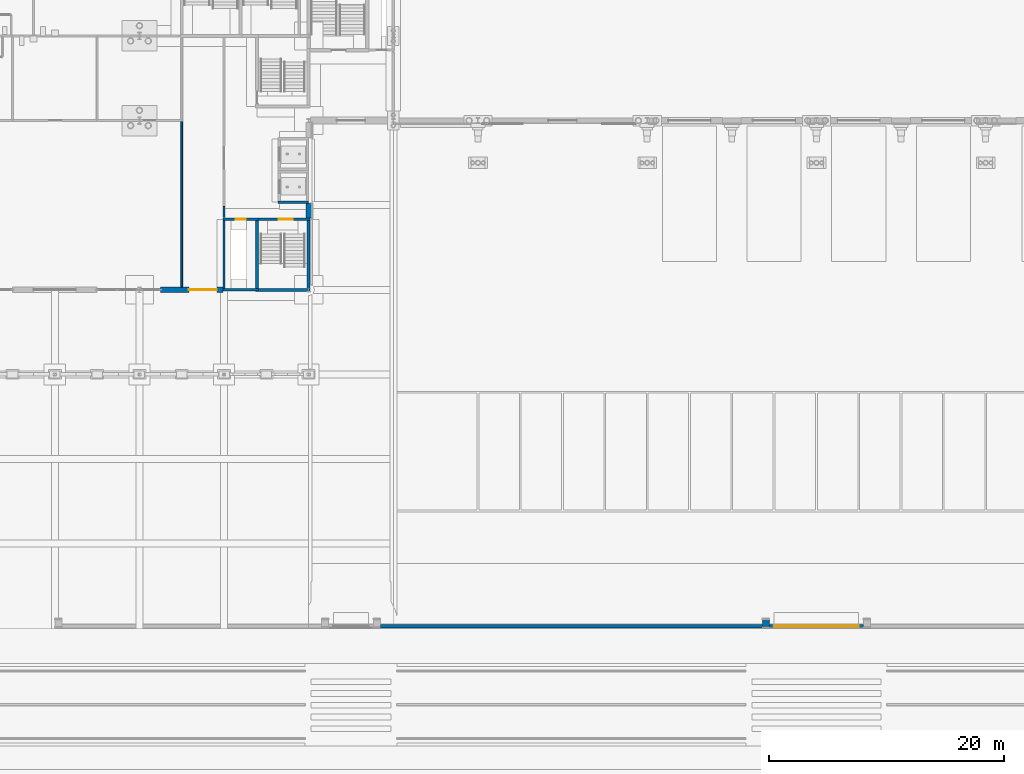
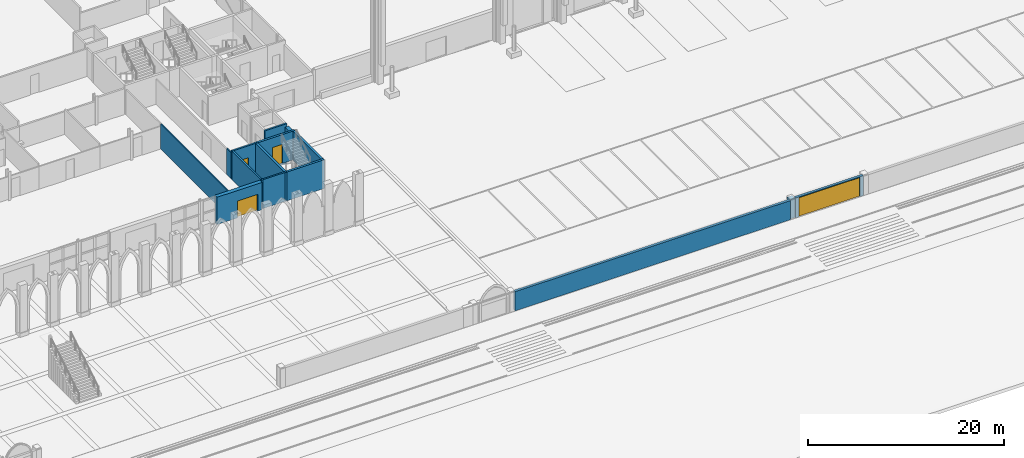
# One storey, part 79 of 148: 15 walls, 4 doors, 4 openings.
"""IFC4 building model written with IfcOpenShell, lengths in metres."""

import ifcopenshell
import ifcopenshell.guid

model = None  # the IFC model being written
_history = None  # IfcOwnerHistory: only IFC2X3 demands one
_inside = {}  # id of a spatial element -> (the spatial element, [elements in it])
_under = {}  # id of a project, library or spatial element -> (it, [spatial elements below it])
_declared = {}  # id of a project -> (the project, [libraries it declares])
_typed = {}  # id of a type object -> (the type object, [elements of that type])
_made_of = {}  # id of a material, layer set ... -> (it, [elements and type objects made of it])


def new_model(schema):
    """Start an empty IFC model of exactly this schema.

    Asked for "IFC4X3", IfcOpenShell would pick the latest addendum, in which some entities
    have other attributes; the version numbers below select the first issue.
    IFC2X3 requires an IfcOwnerHistory on every rooted entity: one is made here for all.
    """
    global model, _history
    if schema == "IFC4X3":
        model = ifcopenshell.file(schema_version=(4, 3, 0, 0))
    else:
        model = ifcopenshell.file(schema=schema)
    _inside.clear()
    _under.clear()
    _declared.clear()
    _typed.clear()
    _made_of.clear()
    _history = None
    if model.schema == "IFC2X3":
        org = make("IfcOrganization", Name="unknown")
        user = make(
            "IfcPersonAndOrganization",
            ThePerson=make("IfcPerson", FamilyName="unknown"),
            TheOrganization=org,
        )
        app = make(
            "IfcApplication",
            ApplicationDeveloper=org,
            Version="unknown",
            ApplicationFullName="unknown",
            ApplicationIdentifier="unknown",
        )
        _history = make(
            "IfcOwnerHistory",
            OwningUser=user,
            OwningApplication=app,
            ChangeAction="ADDED",
            CreationDate=0,
        )
    return model


def make(cls, **values):
    """One entity of the class cls with the attributes given. An attribute that is None is left unset."""
    return model.create_entity(
        cls, **{name: value for name, value in values.items() if value is not None}
    )


def rooted(cls, **values):
    """An entity with a GlobalId (a new one), such as an element, a storey or a relation."""
    return make(cls, GlobalId=ifcopenshell.guid.new(), OwnerHistory=_history, **values)


def si_unit(unit_type, name, prefix=None):
    """IfcSIUnit, for example si_unit("LENGTHUNIT", "METRE", prefix="MILLI")."""
    return make("IfcSIUnit", UnitType=unit_type, Prefix=prefix, Name=name)


def assignment(units):
    """IfcUnitAssignment: the units of a project."""
    return None if units is None else make("IfcUnitAssignment", Units=units)


def point(xyz):
    """IfcCartesianPoint."""
    return None if xyz is None else make("IfcCartesianPoint", Coordinates=xyz)


def direction(xyz):
    """IfcDirection."""
    return None if xyz is None else make("IfcDirection", DirectionRatios=xyz)


def frame(location, z_axis=None, x_axis=None):
    """IfcAxis2Placement3D, a coordinate frame: its origin and axes. An axis left out is left unset."""
    return make(
        "IfcAxis2Placement3D",
        Location=point(location),
        Axis=direction(z_axis),
        RefDirection=direction(x_axis),
    )


def frame_2d(location, x_axis=None):
    """IfcAxis2Placement2D, a coordinate frame in the plane: its origin and x axis."""
    return make(
        "IfcAxis2Placement2D", Location=point(location), RefDirection=direction(x_axis)
    )


def origin():
    """The frame at (0, 0, 0) with its axes left unset."""
    return frame((0.0, 0.0, 0.0))


def place(relative_to, where):
    """IfcLocalPlacement: puts the frame where relative to a parent placement (None: the world)."""
    return make(
        "IfcLocalPlacement", PlacementRelTo=relative_to, RelativePlacement=where
    )


def context(
    kind, dimensions, precision=None, world=None, true_north=None, identifier=None
):
    """IfcGeometricRepresentationContext, for example the 3D "Model" context."""
    return make(
        "IfcGeometricRepresentationContext",
        ContextIdentifier=identifier,
        ContextType=kind,
        CoordinateSpaceDimension=dimensions,
        Precision=precision,
        WorldCoordinateSystem=world,
        TrueNorth=true_north,
    )


def subcontext(parent, identifier, kind, view, scale=None):
    """IfcGeometricRepresentationSubContext, for example "Body" below "Model"."""
    return make(
        "IfcGeometricRepresentationSubContext",
        ContextIdentifier=identifier,
        ContextType=kind,
        ParentContext=parent,
        TargetScale=scale,
        TargetView=view,
    )


def project(units=None, contexts=None):
    """IfcProject with its units and contexts."""
    return rooted(
        "IfcProject",
        Name="project",
        RepresentationContexts=contexts,
        UnitsInContext=assignment(units),
    )


def spatial(cls, under=None, at=None, **own):
    """A site, building, storey or space (cls), placed at a placement, below another one or the project."""
    s = rooted(cls, ObjectPlacement=at, **own)
    if under is not None:
        _under.setdefault(under.id(), (under, []))[1].append(s)
    return s


def profile(cls, at=None, kind="AREA", **sizes):
    """A parametric profile (cls). Its sizes go by their IFC names, for example OverallWidth=200.0."""
    return make(cls, ProfileType=kind, Position=at, **sizes)


def rectangle(**sizes):
    """IfcRectangleProfileDef."""
    return profile("IfcRectangleProfileDef", **sizes)


def extrude(swept, where, along, depth):
    """IfcExtrudedAreaSolid: the profile swept, set in the frame where, extruded along a direction by depth."""
    return make(
        "IfcExtrudedAreaSolid",
        SweptArea=swept,
        Position=where,
        ExtrudedDirection=direction(along),
        Depth=depth,
    )


def shape(context_of_items, identifier, shape_type, items):
    """IfcShapeRepresentation: the items that make up one representation, for example the "Body"."""
    return make(
        "IfcShapeRepresentation",
        ContextOfItems=context_of_items,
        RepresentationIdentifier=identifier,
        RepresentationType=shape_type,
        Items=items,
    )


def material(Name=None, Category=None):
    """IfcMaterial."""
    return make("IfcMaterial", Name=Name, Category=Category)


def layer(
    of_material, thickness, ventilated=None, Name=None, Category=None, Priority=None
):
    """IfcMaterialLayer: one layer of a wall or slab, of a material (None: an air gap)."""
    return make(
        "IfcMaterialLayer",
        Material=of_material,
        LayerThickness=thickness,
        IsVentilated=ventilated,
        Name=Name,
        Category=Category,
        Priority=Priority,
    )


def layer_set(layers, Name=None):
    """IfcMaterialLayerSet."""
    return make("IfcMaterialLayerSet", MaterialLayers=layers, LayerSetName=Name)


def made_of(thing, what):
    """Note that an element or type object is made of a material, layer set ...; save() writes the relation."""
    if what is not None:
        _made_of.setdefault(what.id(), (what, []))[1].append(thing)
    return thing


def type_object(cls, material=None, **own):
    """A type object (cls), such as IfcWallType, which elements share."""
    return made_of(rooted(cls, **own), material)


def element(
    cls,
    number,
    at=None,
    inside=None,
    cuts=None,
    type_object=None,
    material=None,
    context=None,
    identifier="Body",
    shape_type=None,
    held_by="IfcProductDefinitionShape",
    body=None,
    shapes=None,
    **own,
):
    """One element of the class cls, such as IfcWall. Its Tag is "e" and its number.

    at: its placement. inside: the storey or other place that contains it. cuts: it is an
    opening in that element (IfcRelVoidsElement). A single representation is given by context,
    identifier, shape_type and body (its items); several are given by shapes. held_by: the class
    of the entity that holds the representations. save() writes the other relations.
    """
    e = rooted(cls, Tag="e%d" % number, ObjectPlacement=at, **own)
    if body is not None:
        shapes = [shape(context, identifier, shape_type, body)]
    if shapes is not None:
        e.Representation = make(held_by, Representations=shapes)
    if inside is not None:
        _inside.setdefault(inside.id(), (inside, []))[1].append(e)
    if cuts is not None:
        rooted(
            "IfcRelVoidsElement", RelatingBuildingElement=cuts, RelatedOpeningElement=e
        )
    if type_object is not None:
        _typed.setdefault(type_object.id(), (type_object, []))[1].append(e)
    return made_of(e, material)


def fill(opening, filler):
    """IfcRelFillsElement: the door or window that sits in an opening."""
    return rooted(
        "IfcRelFillsElement",
        RelatingOpeningElement=opening,
        RelatedBuildingElement=filler,
    )


def aggregate(whole, parts):
    """IfcRelAggregates: a whole, such as a stair, and the parts it consists of."""
    return rooted("IfcRelAggregates", RelatingObject=whole, RelatedObjects=parts)


def save(model, path):
    """Write the relations noted so far, then the file.

    IfcRelAggregates (storeys below a building ...), IfcRelContainedInSpatialStructure (elements
    in a storey), IfcRelDefinesByType, IfcRelAssociatesMaterial and IfcRelDeclares: one each for
    every whole, place, type object, material and project.
    """
    for whole, parts in _under.values():
        aggregate(whole, parts)
    for where, things in _inside.values():
        rooted(
            "IfcRelContainedInSpatialStructure",
            RelatedElements=things,
            RelatingStructure=where,
        )
    for kind, things in _typed.values():
        rooted("IfcRelDefinesByType", RelatedObjects=things, RelatingType=kind)
    for what, things in _made_of.values():
        rooted("IfcRelAssociatesMaterial", RelatedObjects=things, RelatingMaterial=what)
    for by, libraries in _declared.values():
        rooted("IfcRelDeclares", RelatingContext=by, RelatedDefinitions=libraries)
    model.write(path)


model = new_model("IFC4")

# Units and contexts
model_context = context("Model", 3, precision=1e-05, world=origin(), true_north=direction((0.0, 1.0)))
body_context = subcontext(model_context, "Body", "Model", "MODEL_VIEW")
ifc_project = project(units=[si_unit("LENGTHUNIT", "METRE"), si_unit("AREAUNIT", "SQUARE_METRE"), si_unit("VOLUMEUNIT", "CUBIC_METRE"), si_unit("PLANEANGLEUNIT", "RADIAN"), si_unit("MASSUNIT", "GRAM", prefix="KILO")], contexts=[model_context])

# Site, building, storey
site_placement = place(None, origin())
site = spatial("IfcSite", under=ifc_project, at=site_placement, CompositionType="ELEMENT")
building_placement = place(site_placement, origin())
building = spatial("IfcBuilding", under=site, at=building_placement, Name="Kupolbacken Congress Centre", CompositionType="ELEMENT")
storey_placement = place(building_placement, origin())
storey = spatial("IfcBuildingStorey", under=building, at=storey_placement, Name="L00", CompositionType="ELEMENT", Elevation=0.0)

# Wall
ifc_material_1 = material(Name="Brick", Category="masonry")
ifc_layer_1 = layer(ifc_material_1, 0.10791015625)
ifc_material_2 = material(Name="Concrete block", Category="masonry")
ifc_layer_2 = layer(ifc_material_2, 0.19189453125)
ifc_layer_set_1 = layer_set([ifc_layer_1, ifc_layer_2], Name="Brick / Concrete block")
wall_type_1 = type_object("IfcWallType", Name="BW1 boundary wall 300", PredefinedType="SOLIDWALL", material=ifc_layer_set_1)
wall_1_placement = place(storey_placement, frame((85.300048828125, 0.175048828125, 0.0), z_axis=(0.0, 0.0, 1.0), x_axis=(1.0, 0.0, 0.0)))
element("IfcWall", 1, at=wall_1_placement, inside=storey, type_object=wall_type_1, Name="Boundary wall lower-yard 04", PredefinedType="SOLIDWALL", context=body_context, shape_type="SweptSolid", body=[
    extrude(rectangle(XDim=32.5, YDim=0.300048828125, at=frame_2d((16.25, 0.0))), origin(), (0.0, 0.0, 1.0), 2.39990234375),
])

# Wall, opening, door
wall_2_placement = place(storey_placement, frame((118.39990234375, 0.175048828125, 0.0), z_axis=(0.0, 0.0, 1.0), x_axis=(1.0, 0.0, 0.0)))
wall_2 = element("IfcWall", 2, at=wall_2_placement, inside=storey, type_object=wall_type_1, Name="Boundary wall at gate YG1", PredefinedType="SOLIDWALL", context=body_context, shape_type="SweptSolid", body=[
    extrude(rectangle(XDim=8.0, YDim=0.300048828125, at=frame_2d((4.0, 0.0))), origin(), (0.0, 0.0, 1.0), 2.5),
])
opening_1_placement = place(wall_2_placement, frame((0.39990234375, 0.0, 0.0)))
opening_1 = element("IfcOpeningElement", 3, at=opening_1_placement, cuts=wall_2, Name="Opening D41", PredefinedType="OPENING", context=body_context, shape_type="SweptSolid", body=[
    extrude(rectangle(XDim=7.199951171875, YDim=2.39990234375, at=frame_2d((3.60009765625, 1.199951171875))), frame((0.0, 0.159912109375, 0.0), z_axis=(0.0, -1.0, 0.0), x_axis=(1.0, 0.0, 0.0)), (0.0, 0.0, 1.0), 0.320068359375),
])
ifc_material_3 = material(Name="Galvanised steel gate", Category="steel")
door_type_1 = type_object("IfcDoorType", Name="D41 vehicle gate 7200x2400", OperationType="DOUBLE_DOOR_SINGLE_SWING", PredefinedType="GATE", material=ifc_material_3)
door_1_placement = place(opening_1_placement, frame((7.199951171875, 0.0, 0.0), z_axis=(0.0, 0.0, 1.0), x_axis=(-1.0, 0.0, 0.0)))
door_1 = element("IfcDoor", 4, at=door_1_placement, inside=storey, type_object=door_type_1, Name="Boundary vehicle gate YG1", OperationType="DOUBLE_DOOR_SINGLE_SWING", OverallHeight=2.39990234375, OverallWidth=7.199951171875, PredefinedType="GATE", context=body_context, shape_type="SweptSolid", body=[
    extrude(rectangle(XDim=7.199951171875, YDim=2.39990234375, at=frame_2d((3.60009765625, 1.199951171875))), frame((0.0, 0.02490234375, 0.0), z_axis=(0.0, -1.0, 0.0), x_axis=(1.0, 0.0, 0.0)), (0.0, 0.0, 1.0), 0.050048828125),
])
fill(opening_1, door_1)

# Wall
ifc_material_4 = material(Name="Concrete C40/50", Category="concrete")
ifc_layer_3 = layer(ifc_material_4, 0.1201171875)
ifc_material_5 = material(Name="Mineral wool", Category="insulation")
ifc_layer_4 = layer(ifc_material_5, 0.19189453125)
ifc_material_6 = material(Name="Air cavity", Category="air")
ifc_layer_5 = layer(ifc_material_6, 0.0400390625, ventilated=True)
ifc_layer_6 = layer(ifc_material_1, 0.10791015625)
ifc_layer_set_2 = layer_set([ifc_layer_3, ifc_layer_4, ifc_layer_5, ifc_layer_6], Name="Concrete C40/50 / Mineral wool / Brick")
wall_type_2 = type_object("IfcWallType", Name="EW06 external cavity wall 460", PredefinedType="SOLIDWALL", material=ifc_layer_set_2)
wall_3_placement = place(storey_placement, frame((79.199951171875, 34.925048828125, 0.0), z_axis=(0.0, 0.0, 1.0), x_axis=(0.0, 1.0, 0.0)))
element("IfcWall", 5, at=wall_3_placement, inside=storey, type_object=wall_type_2, Name="E/F/E/L00/025", PredefinedType="SOLIDWALL", context=body_context, shape_type="SweptSolid", body=[
    extrude(rectangle(XDim=1.224853515625, YDim=0.4599609375, at=frame_2d((0.6123046875, 0.0))), origin(), (0.0, 0.0, 1.0), 3.219970703125),
])

# Wall, opening, door
wall_4_placement = place(storey_placement, frame((66.60009765625, 28.800048828125, 0.0), z_axis=(0.0, 0.0, 1.0), x_axis=(1.0, 0.0, 0.0)))
wall_4 = element("IfcWall", 6, at=wall_4_placement, inside=storey, type_object=wall_type_2, Name="E/F/S/L00/041", PredefinedType="SOLIDWALL", context=body_context, shape_type="SweptSolid", body=[
    extrude(rectangle(XDim=5.2998046875, YDim=0.4599609375, at=frame_2d((2.64990234375, 0.0))), origin(), (0.0, 0.0, 1.0), 3.419921875),
])
opening_2_placement = place(wall_4_placement, frame((2.39990234375, 0.0, 0.0)))
opening_2 = element("IfcOpeningElement", 7, at=opening_2_placement, cuts=wall_4, Name="Opening D45", PredefinedType="OPENING", context=body_context, shape_type="SweptSolid", body=[
    extrude(rectangle(XDim=2.39990234375, YDim=2.10009765625, at=frame_2d((1.199951171875, 1.050048828125))), frame((0.0, 0.239990234375, 0.0), z_axis=(0.0, -1.0, 0.0), x_axis=(1.0, 0.0, 0.0)), (0.0, 0.0, 1.0), 0.47998046875),
])
ifc_material_7 = material(Name="Steel fire door leaf", Category="steel")
door_type_2 = type_object("IfcDoorType", Name="D45 stair door 2400x2100", OperationType="DOUBLE_DOOR_SINGLE_SWING", PredefinedType="DOOR", material=ifc_material_7)
door_2_placement = place(opening_2_placement, frame((2.39990234375, 0.0, 0.0), z_axis=(0.0, 0.0, 1.0), x_axis=(-1.0, 0.0, 0.0)))
door_2 = element("IfcDoor", 8, at=door_2_placement, inside=storey, type_object=door_type_2, Name="Final exit X2", OperationType="DOUBLE_DOOR_SINGLE_SWING", OverallHeight=2.10009765625, OverallWidth=2.39990234375, PredefinedType="DOOR", context=body_context, shape_type="SweptSolid", body=[
    extrude(rectangle(XDim=2.39990234375, YDim=2.10009765625, at=frame_2d((1.199951171875, 1.050048828125))), frame((0.0, 0.02490234375, 0.0), z_axis=(0.0, -1.0, 0.0), x_axis=(1.0, 0.0, 0.0)), (0.0, 0.0, 1.0), 0.050048828125),
])
fill(opening_2, door_2)

# Walls
ifc_layer_7 = layer(ifc_material_1, 0.10791015625)
ifc_layer_8 = layer(ifc_material_2, 0.491943359375)
ifc_layer_set_3 = layer_set([ifc_layer_7, ifc_layer_8], Name="Brick / Concrete block")
wall_type_3 = type_object("IfcWallType", Name="GP1 gate pier 600", PredefinedType="SOLIDWALL", material=ifc_layer_set_3)
wall_5_placement = place(storey_placement, frame((118.39990234375, 0.445068359375, 0.0), z_axis=(0.0, 0.0, 1.0), x_axis=(-1.0, 0.0, 0.0)))
element("IfcWall", 9, at=wall_5_placement, inside=storey, type_object=wall_type_3, Name="Boundary gate pier 6", PredefinedType="SOLIDWALL", context=body_context, shape_type="SweptSolid", body=[
    extrude(rectangle(XDim=0.599853515625, YDim=0.60009765625, at=frame_2d((0.2998046875, 0.0))), origin(), (0.0, 0.0, 1.0), 2.39990234375),
])
ifc_material_8 = material(Name="Gypsum board", Category="drywall")
ifc_layer_9 = layer(ifc_material_8, 0.135009765625)
ifc_layer_set_4 = layer_set([ifc_layer_9], Name="Gypsum board")
wall_type_4 = type_object("IfcWallType", Name="P06 compartment wall 135", PredefinedType="PARTITIONING", material=ifc_layer_set_4)
wall_6_placement = place(storey_placement, frame((72.0, 34.9599609375, 0.0), z_axis=(0.0, 0.0, 1.0), x_axis=(0.0, 1.0, 0.0)))
element("IfcWall", 10, at=wall_6_placement, inside=storey, type_object=wall_type_4, Name="PD/L00/W002", PredefinedType="PARTITIONING", context=body_context, shape_type="SweptSolid", body=[
    extrude(rectangle(XDim=0.929931640625, YDim=0.135009765625, at=frame_2d((0.46484375, 0.0))), origin(), (0.0, 0.0, 1.0), 3.218994140625),
])
wall_7_placement = place(storey_placement, frame((68.39990234375, 43.132568359375, 0.0), z_axis=(0.0, 0.0, 1.0), x_axis=(0.0, -1.0, 0.0)))
element("IfcWall", 11, at=wall_7_placement, inside=storey, type_object=wall_type_4, Name="PD/L00/W029", PredefinedType="PARTITIONING", context=body_context, shape_type="SweptSolid", body=[
    extrude(rectangle(XDim=14.1025390625, YDim=0.135009765625, at=frame_2d((7.05126953125, 0.0))), origin(), (0.0, 0.0, 1.0), 3.1201171875),
])
ifc_material_9 = material(Name="Concrete C40/50", Category="concrete")
ifc_layer_10 = layer(ifc_material_9, 0.199951171875)
ifc_layer_set_5 = layer_set([ifc_layer_10], Name="Concrete C40/50")
wall_type_5 = type_object("IfcWallType", Name="WC1 RC shaft wall 200", PredefinedType="SHEAR", material=ifc_layer_set_5)
wall_8_placement = place(storey_placement, frame((71.89990234375, 28.800048828125, 0.0), z_axis=(0.0, 0.0, 1.0), x_axis=(1.0, 0.0, 0.0)))
element("IfcWall", 12, at=wall_8_placement, inside=storey, type_object=wall_type_5, Name="Shaft wall L00-004", PredefinedType="SHEAR", context=body_context, shape_type="SweptSolid", body=[
    extrude(rectangle(XDim=3.025146484375, YDim=0.199951171875, at=frame_2d((1.5126953125, 0.0))), origin(), (0.0, 0.0, 1.0), 3.60009765625),
])
wall_9_placement = place(storey_placement, frame((72.0, 34.89990234375, 0.0), z_axis=(0.0, 0.0, 1.0), x_axis=(0.0, -1.0, 0.0)))
element("IfcWall", 13, at=wall_9_placement, inside=storey, type_object=wall_type_5, Name="Shaft wall L00-010", PredefinedType="SHEAR", context=body_context, shape_type="SweptSolid", body=[
    extrude(rectangle(XDim=6.199951171875, YDim=0.199951171875, at=frame_2d((3.10009765625, 0.0))), origin(), (0.0, 0.0, 1.0), 3.60009765625),
])

# Wall, opening, door
wall_10_placement = place(storey_placement, frame((74.925048828125, 34.800048828125, 0.0), z_axis=(0.0, 0.0, 1.0), x_axis=(-1.0, 0.0, 0.0)))
wall_10 = element("IfcWall", 14, at=wall_10_placement, inside=storey, type_object=wall_type_5, Name="Shaft wall L00-012", PredefinedType="SHEAR", context=body_context, shape_type="SweptSolid", body=[
    extrude(rectangle(XDim=3.025146484375, YDim=0.199951171875, at=frame_2d((1.5126953125, 0.0))), origin(), (0.0, 0.0, 1.0), 3.60009765625),
])
opening_3_placement = place(wall_10_placement, frame((1.074951171875, 0.0, 0.0)))
opening_3 = element("IfcOpeningElement", 15, at=opening_3_placement, cuts=wall_10, Name="Opening 0.F06", PredefinedType="OPENING", context=body_context, shape_type="SweptSolid", body=[
    extrude(rectangle(XDim=0.85009765625, YDim=2.10009765625, at=frame_2d((0.425048828125, 1.050048828125))), frame((0.0, 0.10986328125, 0.0), z_axis=(0.0, -1.0, 0.0), x_axis=(1.0, 0.0, 0.0)), (0.0, 0.0, 1.0), 0.219970703125),
])
ifc_material_10 = material(Name="Steel fire door leaf", Category="steel")
door_type_3 = type_object("IfcDoorType", Name="D3 fire door 850x2100", OperationType="SINGLE_SWING_LEFT", PredefinedType="DOOR", material=ifc_material_10)
door_3_placement = place(opening_3_placement, frame((0.85009765625, 0.0, 0.0), z_axis=(0.0, 0.0, 1.0), x_axis=(-1.0, 0.0, 0.0)))
door_3 = element("IfcDoor", 16, at=door_3_placement, inside=storey, type_object=door_type_3, Name="S/core/L00/012/D0F06", OperationType="SINGLE_SWING_RIGHT", OverallHeight=2.10009765625, OverallWidth=0.85009765625, PredefinedType="DOOR", context=body_context, shape_type="SweptSolid", body=[
    extrude(rectangle(XDim=0.85009765625, YDim=2.10009765625, at=frame_2d((0.425048828125, 1.050048828125))), frame((0.0, 0.02490234375, 0.0), z_axis=(0.0, -1.0, 0.0), x_axis=(1.0, 0.0, 0.0)), (0.0, 0.0, 1.0), 0.050048828125),
])
fill(opening_3, door_3)

# Walls
wall_11_placement = place(storey_placement, frame((76.60009765625, 36.25, -1.39990234375), z_axis=(0.0, 0.0, 1.0), x_axis=(1.0, 0.0, 0.0)))
element("IfcWall", 17, at=wall_11_placement, inside=storey, type_object=wall_type_5, Name="Shaft wall LP3", PredefinedType="SHEAR", context=body_context, shape_type="SweptSolid", body=[
    extrude(rectangle(XDim=2.599853515625, YDim=0.199951171875, at=frame_2d((1.2998046875, 0.0))), origin(), (0.0, 0.0, 1.0), 5.0),
])
ifc_material_11 = material(Name="Concrete C40/50", Category="concrete")
ifc_layer_11 = layer(ifc_material_11, 0.25)
ifc_layer_set_6 = layer_set([ifc_layer_11], Name="Concrete C40/50")
wall_type_6 = type_object("IfcWallType", Name="WC2 RC stair enclosure wall 250", PredefinedType="SHEAR", material=ifc_layer_set_6)
wall_12_placement = place(storey_placement, frame((74.925048828125, 28.800048828125, 0.0), z_axis=(0.0, 0.0, 1.0), x_axis=(1.0, 0.0, 0.0)))
element("IfcWall", 18, at=wall_12_placement, inside=storey, type_object=wall_type_6, Name="Stair enclosure wall L00-005", PredefinedType="SHEAR", context=body_context, shape_type="SweptSolid", body=[
    extrude(rectangle(XDim=4.39990234375, YDim=0.25, at=frame_2d((2.199951171875, 0.0))), origin(), (0.0, 0.0, 1.0), 3.60009765625),
])
for number, where, z_axis, x_axis, name in (
    (19, (79.199951171875, 28.675048828125, 0.0), (0.0, 0.0, 1.0), (0.0, 1.0, 0.0), "Stair enclosure wall L00-006"),
    (20, (74.800048828125, 34.925048828125, 0.0), (0.0, 0.0, 1.0), (0.0, -1.0, 0.0), "Stair enclosure wall L00-011"),
):
    element("IfcWall", number, at=place(storey_placement, frame(where, z_axis=z_axis, x_axis=x_axis)), inside=storey, type_object=wall_type_6, Name=name, PredefinedType="SHEAR", context=body_context, shape_type="SweptSolid", body=[
        extrude(rectangle(XDim=6.25, YDim=0.25, at=frame_2d((3.125, 0.0))), origin(), (0.0, 0.0, 1.0), 3.60009765625),
    ])

# Wall, opening, door
wall_13_placement = place(storey_placement, frame((79.324951171875, 34.800048828125, 0.0), z_axis=(0.0, 0.0, 1.0), x_axis=(-1.0, 0.0, 0.0)))
wall_13 = element("IfcWall", 21, at=wall_13_placement, inside=storey, type_object=wall_type_6, Name="Stair enclosure wall L00-013", PredefinedType="SHEAR", context=body_context, shape_type="SweptSolid", body=[
    extrude(rectangle(XDim=4.39990234375, YDim=0.25, at=frame_2d((2.199951171875, 0.0))), origin(), (0.0, 0.0, 1.0), 3.60009765625),
])
opening_4_placement = place(wall_13_placement, frame((1.47509765625, 0.0, 0.0)))
opening_4 = element("IfcOpeningElement", 22, at=opening_4_placement, cuts=wall_13, Name="Opening 0.F04", PredefinedType="OPENING", context=body_context, shape_type="SweptSolid", body=[
    extrude(rectangle(XDim=1.199951171875, YDim=2.39990234375, at=frame_2d((0.60009765625, 1.199951171875))), frame((0.0, 0.135009765625, 0.0), z_axis=(0.0, -1.0, 0.0), x_axis=(1.0, 0.0, 0.0)), (0.0, 0.0, 1.0), 0.27001953125),
])
ifc_material_12 = material(Name="Steel fire door leaf", Category="steel")
door_type_4 = type_object("IfcDoorType", Name="D9 fire door 1200x2400", OperationType="SINGLE_SWING_LEFT", PredefinedType="DOOR", material=ifc_material_12)
door_4_placement = place(opening_4_placement, origin())
door_4 = element("IfcDoor", 23, at=door_4_placement, inside=storey, type_object=door_type_4, Name="S/core/L00/013/D0F04", OperationType="SINGLE_SWING_RIGHT", OverallHeight=2.39990234375, OverallWidth=1.199951171875, PredefinedType="DOOR", context=body_context, shape_type="SweptSolid", body=[
    extrude(rectangle(XDim=1.199951171875, YDim=2.39990234375, at=frame_2d((0.60009765625, 1.199951171875))), frame((0.0, 0.02490234375, 0.0), z_axis=(0.0, -1.0, 0.0), x_axis=(1.0, 0.0, 0.0)), (0.0, 0.0, 1.0), 0.050048828125),
])
fill(opening_4, door_4)

save(model, "model.ifc")
